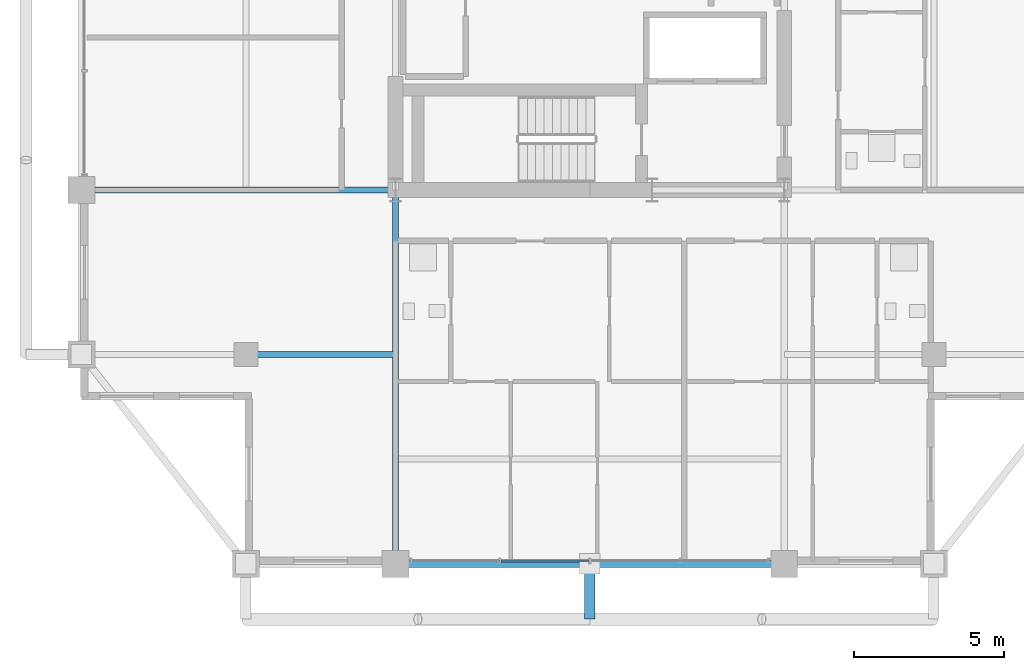
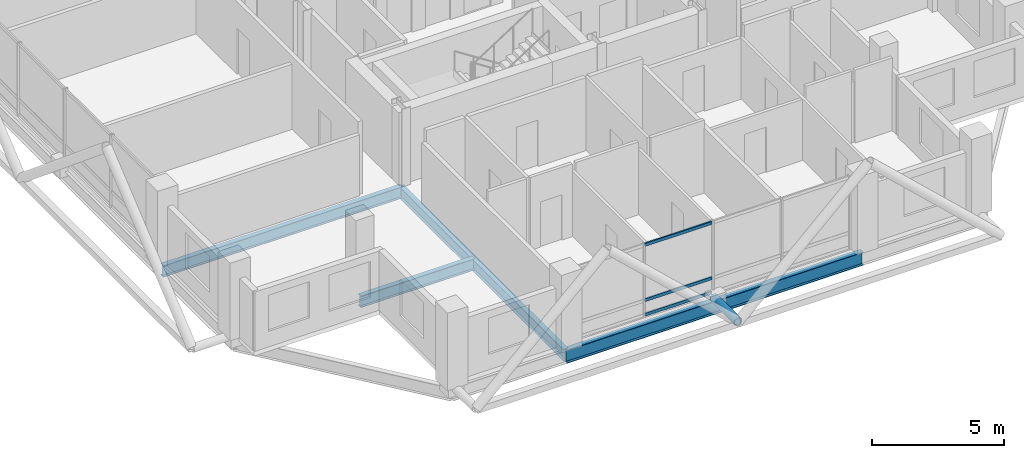
# One storey, part 4 of 24: 4 beams, 4 members, 1 element without a shape of its own.
"""IFC4 building model written with IfcOpenShell, lengths in metres."""

from ifc_helpers import new_model, si_unit, direction, frame, origin, origin_2d, place, context, subcontext, project, spatial, hollow_rectangle, hollow_circle, i_section, extrude, material, layer, layer_set, material_profile, profile_set, type_object, element, aggregate, save


model = new_model("IFC4")

# Units and contexts
model_context = context("Model", 3, precision=1e-05, world=origin(), true_north=direction((0.0, 1.0)))
body_context = subcontext(model_context, "Body", "Model", "MODEL_VIEW")
ifc_project = project(units=[si_unit("LENGTHUNIT", "METRE"), si_unit("AREAUNIT", "SQUARE_METRE"), si_unit("VOLUMEUNIT", "CUBIC_METRE"), si_unit("PLANEANGLEUNIT", "RADIAN"), si_unit("MASSUNIT", "GRAM", prefix="KILO")], contexts=[model_context])

# Site, building, storey
site_placement = place(None, origin())
site = spatial("IfcSite", under=ifc_project, at=site_placement, CompositionType="ELEMENT")
building_placement = place(site_placement, origin())
building = spatial("IfcBuilding", under=site, at=building_placement, Name="Barlavira Tower and Art Museum", CompositionType="ELEMENT")
storey_placement = place(building_placement, frame((0.0, 0.0, 240.300048828125)))
storey = spatial("IfcBuildingStorey", under=building, at=storey_placement, Name="L62", CompositionType="ELEMENT", Elevation=240.300048828125)

# Curtain wall, members
ifc_material_1 = material(Name="Low-iron coastal laminated glass", Category="glass")
ifc_layer = layer(ifc_material_1, 0.2099609375, Name="Low-iron coastal laminated glass")
ifc_layer_set = layer_set([ifc_layer], Name="Low-iron coastal laminated glass")
curtain_wall_type = type_object("IfcCurtainWallType", Name="Pale-Metal Unitised Curtain Wall Zone 4", PredefinedType="NOTDEFINED", material=ifc_layer_set)
curtain_wall_placement = place(storey_placement, origin())
curtain_wall = element("IfcCurtainWall", 1, at=curtain_wall_placement, inside=storey, type_object=curtain_wall_type, Name="L62 Curtain Wall CW4-L62-S-B2", PredefinedType="NOTDEFINED")
ifc_material_2 = material(Name="Pale anodised aluminium", Category="aluminium")
ifc_material_profile_1 = material_profile(ifc_material_2, hollow_rectangle(XDim=0.06494140625, YDim=0.139892578125, WallThickness=0.00390625, at=origin_2d()), Name="ALU-TRAN 65x140x4")
ifc_profile_set_1 = profile_set([ifc_material_profile_1], Name="Pale anodised aluminium")
member_type_1 = type_object("IfcMemberType", Name="Curtain Wall Pale-Metal Transom 65x140", PredefinedType="USERDEFINED", material=ifc_profile_set_1)
member_1_placement = place(storey_placement, frame((-2.969970703125, -19.89990234375, 0.070068359375), z_axis=(1.0, 0.0, 0.0), x_axis=(0.0, 1.0, 0.0)))
member_1 = element("IfcMember", 2, at=member_1_placement, type_object=member_type_1, Name="CW4-L62-S-B2 Transom 1.1", ObjectType="TRANSOM", PredefinedType="USERDEFINED", context=body_context, shape_type="SweptSolid", body=[
    extrude(hollow_rectangle(XDim=0.06494140625, YDim=0.139892578125, WallThickness=0.00390625, at=origin_2d()), origin(), (0.0, 0.0, 1.0), 2.925048828125),
])
member_2_placement = place(storey_placement, frame((-2.969970703125, -19.89990234375, 0.743896484375), z_axis=(1.0, 0.0, 0.0), x_axis=(0.0, 1.0, 0.0)))
member_2 = element("IfcMember", 3, at=member_2_placement, type_object=member_type_1, Name="CW4-L62-S-B2 Transom 1.2", ObjectType="TRANSOM", PredefinedType="USERDEFINED", context=body_context, shape_type="SweptSolid", body=[
    extrude(hollow_rectangle(XDim=0.06494140625, YDim=0.139892578125, WallThickness=0.00390625, at=origin_2d()), origin(), (0.0, 0.0, 1.0), 2.925048828125),
])
member_3_placement = place(storey_placement, frame((-2.969970703125, -19.89990234375, 3.31005859375), z_axis=(1.0, 0.0, 0.0), x_axis=(0.0, 1.0, 0.0)))
member_3 = element("IfcMember", 4, at=member_3_placement, type_object=member_type_1, Name="CW4-L62-S-B2 Transom 1.3", ObjectType="TRANSOM", PredefinedType="USERDEFINED", context=body_context, shape_type="SweptSolid", body=[
    extrude(hollow_rectangle(XDim=0.06494140625, YDim=0.139892578125, WallThickness=0.00390625, at=origin_2d()), origin(), (0.0, 0.0, 1.0), 2.925048828125),
])
aggregate(curtain_wall, [member_1, member_2, member_3])

# Member
ifc_material_3 = material(Name="Steel S355", Category="steel")
ifc_material_profile_2 = material_profile(ifc_material_3, hollow_circle(Radius=0.177734375, WallThickness=0.01611328125, at=origin_2d()), Name="CHS 355.6x16.0")
ifc_profile_set_2 = profile_set([ifc_material_profile_2], Name="Steel S355")
member_type_2 = type_object("IfcMemberType", Name="Pale-Metal Exoskeleton Tie Strut CHS 356x16 Steel S355", PredefinedType="STRUT", material=ifc_profile_set_2)
member_4_placement = place(storey_placement, frame((0.0, -21.85009765625, -0.1201171875), z_axis=(0.0, 1.0, 0.0), x_axis=(-1.0, 0.0, 0.0)))
element("IfcMember", 5, at=member_4_placement, inside=storey, type_object=member_type_2, Name="L62 Exoskeleton Tie Strut S2", PredefinedType="STRUT", context=body_context, shape_type="SweptSolid", body=[
    extrude(hollow_circle(Radius=0.177734375, WallThickness=0.01611328125, at=origin_2d()), origin(), (0.0, 0.0, 1.0), 1.85009765625),
])

# Beams
ifc_material_profile_3 = material_profile(ifc_material_3, i_section(OverallWidth=0.22998046875, OverallDepth=0.616943359375, WebThickness=0.01318359375, FlangeThickness=0.022216796875, at=origin_2d()), Name="W610x140.0")
ifc_profile_set_3 = profile_set([ifc_material_profile_3], Name="Steel S355")
beam_type_1 = type_object("IfcBeamType", Name="Upper Shaft Spandrel Edge Beam W610x140 Steel S355", PredefinedType="SPANDREL", material=ifc_profile_set_3)
beam_1_placement = place(storey_placement, frame((-6.5, -20.0, -0.528564453125), z_axis=(1.0, 0.0, 0.0), x_axis=(0.0, 1.0, 0.0)))
element("IfcBeam", 6, at=beam_1_placement, inside=storey, type_object=beam_type_1, Name="L62 Spandrel 2", PredefinedType="SPANDREL", context=body_context, shape_type="SweptSolid", body=[
    extrude(i_section(OverallWidth=0.22998046875, OverallDepth=0.616943359375, WebThickness=0.01318359375, FlangeThickness=0.022216796875, at=origin_2d()), origin(), (0.0, 0.0, 1.0), 13.0),
])
ifc_material_profile_4 = material_profile(ifc_material_3, i_section(OverallWidth=0.2109375, OverallDepth=0.5390625, WebThickness=0.01171875, FlangeThickness=0.018798828125, at=origin_2d()), Name="W530x109.0")
ifc_profile_set_4 = profile_set([ifc_material_profile_4], Name="Steel S355")
beam_type_2 = type_object("IfcBeamType", Name="Zone 3-4 Primary Floor Girder W530x109 Steel S355", PredefinedType="BEAM", material=ifc_profile_set_4)
beam_2_placement = place(storey_placement, frame((-6.5, -20.0, -0.489501953125), z_axis=(0.0, 1.0, 0.0), x_axis=(-1.0, 0.0, 0.0)))
element("IfcBeam", 7, at=beam_2_placement, inside=storey, type_object=beam_type_2, Name="L62 Girder R-S1", PredefinedType="BEAM", context=body_context, shape_type="SweptSolid", body=[
    extrude(i_section(OverallWidth=0.2109375, OverallDepth=0.5390625, WebThickness=0.01171875, FlangeThickness=0.018798828125, at=origin_2d()), origin(), (0.0, 0.0, 1.0), 12.5),
])
beam_3_placement = place(storey_placement, frame((-17.0, -7.5, -0.489501953125), z_axis=(1.0, 0.0, 0.0), x_axis=(0.0, 1.0, 0.0)))
element("IfcBeam", 8, at=beam_3_placement, inside=storey, type_object=beam_type_2, Name="L62 Girder R-W1", PredefinedType="BEAM", context=body_context, shape_type="SweptSolid", body=[
    extrude(i_section(OverallWidth=0.2109375, OverallDepth=0.5390625, WebThickness=0.01171875, FlangeThickness=0.018798828125, at=origin_2d()), origin(), (0.0, 0.0, 1.0), 10.5),
])
beam_4_placement = place(storey_placement, frame((-11.5, -13.0, -0.489501953125), z_axis=(1.0, 0.0, 0.0), x_axis=(0.0, 1.0, 0.0)))
element("IfcBeam", 9, at=beam_4_placement, inside=storey, type_object=beam_type_2, Name="L62 Girder I-S2", PredefinedType="BEAM", context=body_context, shape_type="SweptSolid", body=[
    extrude(i_section(OverallWidth=0.2109375, OverallDepth=0.5390625, WebThickness=0.01171875, FlangeThickness=0.018798828125, at=origin_2d()), origin(), (0.0, 0.0, 1.0), 5.0),
])

save(model, "model.ifc")
